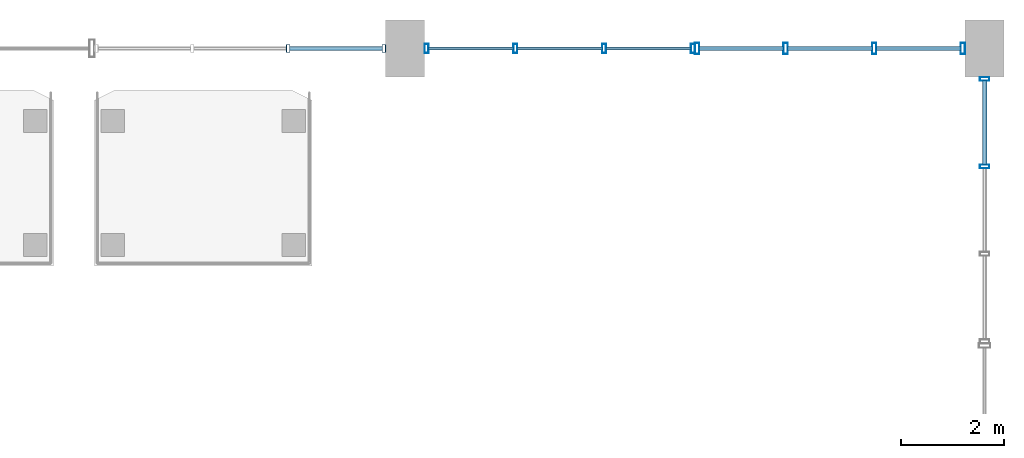
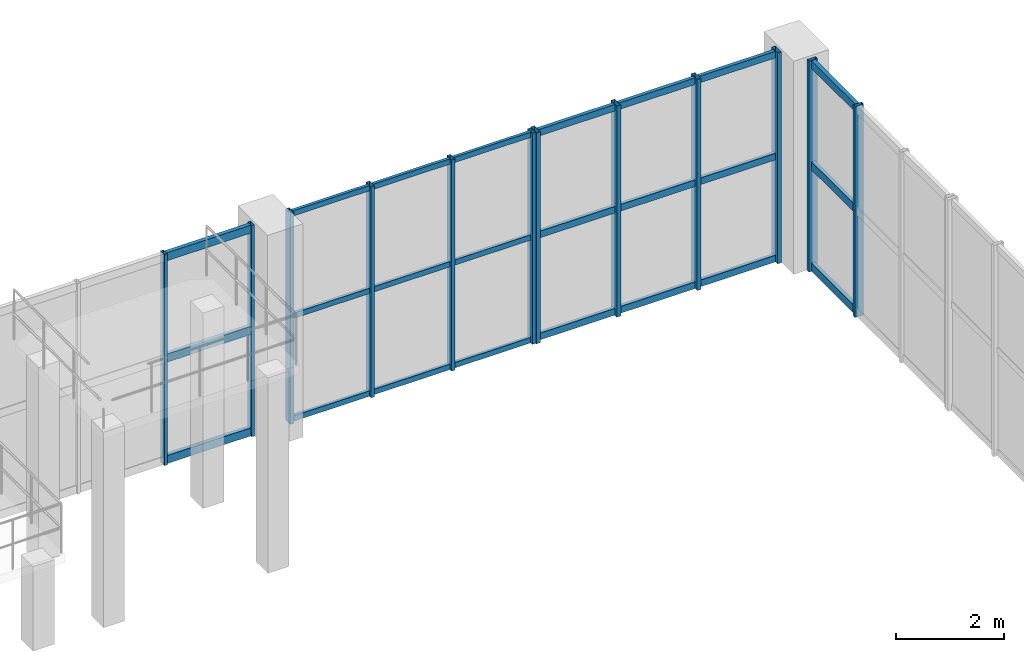
# One storey, part 67 of 106: 36 members, 4 elements without a shape of their own.
"""IFC4 building model written with IfcOpenShell, lengths in metres."""

from ifc_helpers import new_model, si_unit, direction, frame, origin, origin_2d, place, context, subcontext, project, spatial, hollow_rectangle, extrude, material, layer, layer_set, material_profile, profile_set, type_object, element, aggregate, save


model = new_model("IFC4")

# Units and contexts
model_context = context("Model", 3, precision=1e-05, world=origin(), true_north=direction((0.0, 1.0)))
body_context = subcontext(model_context, "Body", "Model", "MODEL_VIEW")
ifc_project = project(units=[si_unit("LENGTHUNIT", "METRE"), si_unit("AREAUNIT", "SQUARE_METRE"), si_unit("VOLUMEUNIT", "CUBIC_METRE"), si_unit("PLANEANGLEUNIT", "RADIAN"), si_unit("MASSUNIT", "GRAM", prefix="KILO"), si_unit("POWERUNIT", "WATT"), si_unit("THERMODYNAMICTEMPERATUREUNIT", "KELVIN")], contexts=[model_context])

# Site, building, storey
site_placement = place(None, origin())
site = spatial("IfcSite", under=ifc_project, at=site_placement, CompositionType="ELEMENT")
building_placement = place(site_placement, origin())
building = spatial("IfcBuilding", under=site, at=building_placement, Name="Kelmbourne Parkland Aquatics Centre", CompositionType="ELEMENT")
storey_placement = place(building_placement, frame((0.0, 0.0, 5.39990234375)))
storey = spatial("IfcBuildingStorey", under=building, at=storey_placement, Name="L01", CompositionType="ELEMENT", Elevation=5.39990234375)

# Curtain wall, members
ifc_material = material(Name="Thermally broken anodised aluminium framing", Category="aluminium")
ifc_layer_1 = layer(ifc_material, 0.179931640625)
ifc_layer_set_1 = layer_set([ifc_layer_1], Name="Thermally broken anodised aluminium framing")
curtain_wall_type_1 = type_object("IfcCurtainWallType", Name="CW-20", PredefinedType="NOTDEFINED", material=ifc_layer_set_1)
curtain_wall_1_placement = place(storey_placement, origin())
curtain_wall_1 = element("IfcCurtainWall", 1, at=curtain_wall_1_placement, inside=storey, type_object=curtain_wall_type_1, Name="Wave-hall clerestory curtain wall CW-L01-140", PredefinedType="NOTDEFINED")
ifc_material_profile_1 = material_profile(ifc_material, hollow_rectangle(XDim=0.06494140625, YDim=0.14990234375, WallThickness=0.00390625, at=origin_2d()), Name="CW-M 65x150")
ifc_profile_set_1 = profile_set([ifc_material_profile_1], Name="Thermally broken anodised aluminium framing")
member_type_1 = type_object("IfcMemberType", Name="MB-MUL-1", PredefinedType="MULLION", material=ifc_profile_set_1)
member_1_placement = place(storey_placement, frame((161.73779296875, 114.800048828125, 0.0), z_axis=(0.0, 0.0, 1.0), x_axis=(1.0, 0.0, 0.0)))
member_1 = element("IfcMember", 2, at=member_1_placement, type_object=member_type_1, Name="CW-L01-140 mullion 2", PredefinedType="MULLION", context=body_context, shape_type="SweptSolid", body=[
    extrude(hollow_rectangle(XDim=0.06494140625, YDim=0.14990234375, WallThickness=0.00390625, at=origin_2d()), origin(), (0.0, 0.0, 1.0), 4.75),
])
member_2_placement = place(storey_placement, frame((163.590576171875, 114.800048828125, 0.0), z_axis=(0.0, 0.0, 1.0), x_axis=(1.0, 0.0, 0.0)))
member_2 = element("IfcMember", 3, at=member_2_placement, type_object=member_type_1, Name="CW-L01-140 mullion 3", PredefinedType="MULLION", context=body_context, shape_type="SweptSolid", body=[
    extrude(hollow_rectangle(XDim=0.06494140625, YDim=0.14990234375, WallThickness=0.00390625, at=origin_2d()), origin(), (0.0, 0.0, 1.0), 4.75),
])

ifc_layer_2 = layer(ifc_material, 0.179931640625)
ifc_layer_set_2 = layer_set([ifc_layer_2], Name="Thermally broken anodised aluminium framing")
curtain_wall_type_2 = type_object("IfcCurtainWallType", Name="CW-05", PredefinedType="NOTDEFINED", material=ifc_layer_set_2)
curtain_wall_2_placement = place(storey_placement, origin())
curtain_wall_2 = element("IfcCurtainWall", 4, at=curtain_wall_2_placement, inside=storey, type_object=curtain_wall_type_2, Name="Wave-hall clerestory curtain wall CW-L01-101", PredefinedType="NOTDEFINED")
ifc_material_profile_2 = material_profile(ifc_material, hollow_rectangle(XDim=0.074951171875, YDim=0.179931640625, WallThickness=0.00439453125, at=origin_2d()), Name="CW-M 75x180")
ifc_profile_set_2 = profile_set([ifc_material_profile_2], Name="Thermally broken anodised aluminium framing")
member_type_2 = type_object("IfcMemberType", Name="MB-MUL-2", PredefinedType="MULLION", material=ifc_profile_set_2)
member_3_placement = place(storey_placement, frame((175.199951171875, 112.51953125, 0.0), z_axis=(0.0, 0.0, 1.0), x_axis=(0.0, 1.0, 0.0)))
member_3 = element("IfcMember", 5, at=member_3_placement, type_object=member_type_2, Name="CW-L01-101 mullion 2", PredefinedType="MULLION", context=body_context, shape_type="SweptSolid", body=[
    extrude(hollow_rectangle(XDim=0.074951171875, YDim=0.179931640625, WallThickness=0.00439453125, at=origin_2d()), origin(), (0.0, 0.0, 1.0), 4.75),
])
member_4_placement = place(storey_placement, frame((175.199951171875, 114.21044921875, 0.0), z_axis=(0.0, 0.0, 1.0), x_axis=(0.0, 1.0, 0.0)))
member_4 = element("IfcMember", 6, at=member_4_placement, type_object=member_type_2, Name="CW-L01-101 mullion 3", PredefinedType="MULLION", context=body_context, shape_type="SweptSolid", body=[
    extrude(hollow_rectangle(XDim=0.074951171875, YDim=0.179931640625, WallThickness=0.00439453125, at=origin_2d()), origin(), (0.0, 0.0, 1.0), 4.75),
])

ifc_layer_3 = layer(ifc_material, 0.179931640625)
ifc_layer_set_3 = layer_set([ifc_layer_3], Name="Thermally broken anodised aluminium framing")
curtain_wall_type_3 = type_object("IfcCurtainWallType", Name="CW-21", PredefinedType="NOTDEFINED", material=ifc_layer_set_3)
curtain_wall_3_placement = place(storey_placement, origin())
curtain_wall_3 = element("IfcCurtainWall", 7, at=curtain_wall_3_placement, inside=storey, type_object=curtain_wall_type_3, Name="Wave-hall clerestory curtain wall CW-L01-141", PredefinedType="NOTDEFINED")
member_5_placement = place(storey_placement, frame((164.41455078125, 114.800048828125, 0.0), z_axis=(0.0, 0.0, 1.0), x_axis=(1.0, 0.0, 0.0)))
member_5 = element("IfcMember", 8, at=member_5_placement, type_object=member_type_2, Name="CW-L01-141 mullion 0", PredefinedType="MULLION", context=body_context, shape_type="SweptSolid", body=[
    extrude(hollow_rectangle(XDim=0.074951171875, YDim=0.179931640625, WallThickness=0.00439453125, at=origin_2d()), origin(), (0.0, 0.0, 1.0), 4.75),
])
member_6_placement = place(storey_placement, frame((166.130615234375, 114.800048828125, 0.0), z_axis=(0.0, 0.0, 1.0), x_axis=(1.0, 0.0, 0.0)))
member_6 = element("IfcMember", 9, at=member_6_placement, type_object=member_type_2, Name="CW-L01-141 mullion 1", PredefinedType="MULLION", context=body_context, shape_type="SweptSolid", body=[
    extrude(hollow_rectangle(XDim=0.074951171875, YDim=0.179931640625, WallThickness=0.00439453125, at=origin_2d()), origin(), (0.0, 0.0, 1.0), 4.75),
])
member_7_placement = place(storey_placement, frame((167.846435546875, 114.800048828125, 0.0), z_axis=(0.0, 0.0, 1.0), x_axis=(1.0, 0.0, 0.0)))
member_7 = element("IfcMember", 10, at=member_7_placement, type_object=member_type_2, Name="CW-L01-141 mullion 2", PredefinedType="MULLION", context=body_context, shape_type="SweptSolid", body=[
    extrude(hollow_rectangle(XDim=0.074951171875, YDim=0.179931640625, WallThickness=0.00439453125, at=origin_2d()), origin(), (0.0, 0.0, 1.0), 4.75),
])
member_8_placement = place(storey_placement, frame((169.5625, 114.800048828125, 0.0), z_axis=(0.0, 0.0, 1.0), x_axis=(1.0, 0.0, 0.0)))
member_8 = element("IfcMember", 11, at=member_8_placement, type_object=member_type_2, Name="CW-L01-141 mullion 3", PredefinedType="MULLION", context=body_context, shape_type="SweptSolid", body=[
    extrude(hollow_rectangle(XDim=0.074951171875, YDim=0.179931640625, WallThickness=0.00439453125, at=origin_2d()), origin(), (0.0, 0.0, 1.0), 4.75),
])

ifc_layer_4 = layer(ifc_material, 0.179931640625)
ifc_layer_set_4 = layer_set([ifc_layer_4], Name="Thermally broken anodised aluminium framing")
curtain_wall_type_4 = type_object("IfcCurtainWallType", Name="CW-22", PredefinedType="NOTDEFINED", material=ifc_layer_set_4)
curtain_wall_4_placement = place(storey_placement, origin())
curtain_wall_4 = element("IfcCurtainWall", 12, at=curtain_wall_4_placement, inside=storey, type_object=curtain_wall_type_4, Name="Wave-hall clerestory curtain wall CW-L01-142", PredefinedType="NOTDEFINED")
ifc_material_profile_3 = material_profile(ifc_material, hollow_rectangle(XDim=0.0849609375, YDim=0.219970703125, WallThickness=0.0048828125, at=origin_2d()), Name="CW-M 85x220")
ifc_profile_set_3 = profile_set([ifc_material_profile_3], Name="Thermally broken anodised aluminium framing")
member_type_3 = type_object("IfcMemberType", Name="MB-MUL-3", PredefinedType="MULLION", material=ifc_profile_set_3)
member_9_placement = place(storey_placement, frame((169.642578125, 114.800048828125, 0.0), z_axis=(0.0, 0.0, 1.0), x_axis=(1.0, 0.0, 0.0)))
member_9 = element("IfcMember", 13, at=member_9_placement, type_object=member_type_3, Name="CW-L01-142 mullion 0", PredefinedType="MULLION", context=body_context, shape_type="SweptSolid", body=[
    extrude(hollow_rectangle(XDim=0.0849609375, YDim=0.219970703125, WallThickness=0.0048828125, at=origin_2d()), origin(), (0.0, 0.0, 1.0), 4.75),
])
member_10_placement = place(storey_placement, frame((171.355224609375, 114.800048828125, 0.0), z_axis=(0.0, 0.0, 1.0), x_axis=(1.0, 0.0, 0.0)))
member_10 = element("IfcMember", 14, at=member_10_placement, type_object=member_type_3, Name="CW-L01-142 mullion 1", PredefinedType="MULLION", context=body_context, shape_type="SweptSolid", body=[
    extrude(hollow_rectangle(XDim=0.0849609375, YDim=0.219970703125, WallThickness=0.0048828125, at=origin_2d()), origin(), (0.0, 0.0, 1.0), 4.75),
])
member_11_placement = place(storey_placement, frame((173.06787109375, 114.800048828125, 0.0), z_axis=(0.0, 0.0, 1.0), x_axis=(1.0, 0.0, 0.0)))
member_11 = element("IfcMember", 15, at=member_11_placement, type_object=member_type_3, Name="CW-L01-142 mullion 2", PredefinedType="MULLION", context=body_context, shape_type="SweptSolid", body=[
    extrude(hollow_rectangle(XDim=0.0849609375, YDim=0.219970703125, WallThickness=0.0048828125, at=origin_2d()), origin(), (0.0, 0.0, 1.0), 4.75),
])
member_12_placement = place(storey_placement, frame((174.780517578125, 114.800048828125, 0.0), z_axis=(0.0, 0.0, 1.0), x_axis=(1.0, 0.0, 0.0)))
member_12 = element("IfcMember", 16, at=member_12_placement, type_object=member_type_3, Name="CW-L01-142 mullion 3", PredefinedType="MULLION", context=body_context, shape_type="SweptSolid", body=[
    extrude(hollow_rectangle(XDim=0.0849609375, YDim=0.219970703125, WallThickness=0.0048828125, at=origin_2d()), origin(), (0.0, 0.0, 1.0), 4.75),
])

# Member
ifc_material_profile_4 = material_profile(ifc_material, hollow_rectangle(XDim=0.06494140625, YDim=0.1201171875, WallThickness=0.00341796875, at=origin_2d()), Name="CW-T 65x120")
ifc_profile_set_4 = profile_set([ifc_material_profile_4], Name="Thermally broken anodised aluminium framing")
member_type_4 = type_object("IfcMemberType", Name="MB-TRN-1", PredefinedType="USERDEFINED", material=ifc_profile_set_4)
member_13_placement = place(storey_placement, frame((164.447998046875, 114.800048828125, 0.06298828125), z_axis=(1.0, 0.0, 0.0), x_axis=(0.0, 1.0, 0.0)))
member_13 = element("IfcMember", 17, at=member_13_placement, type_object=member_type_4, Name="CW-L01-141 transom 0-0", ObjectType="TRANSOM", PredefinedType="USERDEFINED", context=body_context, shape_type="SweptSolid", body=[
    extrude(hollow_rectangle(XDim=0.06494140625, YDim=0.1201171875, WallThickness=0.00341796875, at=origin_2d()), origin(), (0.0, 0.0, 1.0), 1.64892578125),
])

member_14_placement = place(storey_placement, frame((166.1640625, 114.800048828125, 0.06298828125), z_axis=(1.0, 0.0, 0.0), x_axis=(0.0, 1.0, 0.0)))
member_14 = element("IfcMember", 18, at=member_14_placement, type_object=member_type_4, Name="CW-L01-141 transom 0-1", ObjectType="TRANSOM", PredefinedType="USERDEFINED", context=body_context, shape_type="SweptSolid", body=[
    extrude(hollow_rectangle(XDim=0.06494140625, YDim=0.1201171875, WallThickness=0.00341796875, at=origin_2d()), origin(), (0.0, 0.0, 1.0), 1.64892578125),
])

member_15_placement = place(storey_placement, frame((167.8798828125, 114.800048828125, 0.06298828125), z_axis=(1.0, 0.0, 0.0), x_axis=(0.0, 1.0, 0.0)))
member_15 = element("IfcMember", 19, at=member_15_placement, type_object=member_type_4, Name="CW-L01-141 transom 0-2", ObjectType="TRANSOM", PredefinedType="USERDEFINED", context=body_context, shape_type="SweptSolid", body=[
    extrude(hollow_rectangle(XDim=0.06494140625, YDim=0.1201171875, WallThickness=0.00341796875, at=origin_2d()), origin(), (0.0, 0.0, 1.0), 1.649169921875),
])

member_16_placement = place(storey_placement, frame((164.447998046875, 114.800048828125, 2.375), z_axis=(1.0, 0.0, 0.0), x_axis=(0.0, 1.0, 0.0)))
member_16 = element("IfcMember", 20, at=member_16_placement, type_object=member_type_4, Name="CW-L01-141 transom 1-0", ObjectType="TRANSOM", PredefinedType="USERDEFINED", context=body_context, shape_type="SweptSolid", body=[
    extrude(hollow_rectangle(XDim=0.06494140625, YDim=0.1201171875, WallThickness=0.00341796875, at=origin_2d()), origin(), (0.0, 0.0, 1.0), 1.64892578125),
])

member_17_placement = place(storey_placement, frame((166.1640625, 114.800048828125, 2.375), z_axis=(1.0, 0.0, 0.0), x_axis=(0.0, 1.0, 0.0)))
member_17 = element("IfcMember", 21, at=member_17_placement, type_object=member_type_4, Name="CW-L01-141 transom 1-1", ObjectType="TRANSOM", PredefinedType="USERDEFINED", context=body_context, shape_type="SweptSolid", body=[
    extrude(hollow_rectangle(XDim=0.06494140625, YDim=0.1201171875, WallThickness=0.00341796875, at=origin_2d()), origin(), (0.0, 0.0, 1.0), 1.64892578125),
])

member_18_placement = place(storey_placement, frame((167.8798828125, 114.800048828125, 2.375), z_axis=(1.0, 0.0, 0.0), x_axis=(0.0, 1.0, 0.0)))
member_18 = element("IfcMember", 22, at=member_18_placement, type_object=member_type_4, Name="CW-L01-141 transom 1-2", ObjectType="TRANSOM", PredefinedType="USERDEFINED", context=body_context, shape_type="SweptSolid", body=[
    extrude(hollow_rectangle(XDim=0.06494140625, YDim=0.1201171875, WallThickness=0.00341796875, at=origin_2d()), origin(), (0.0, 0.0, 1.0), 1.649169921875),
])

member_19_placement = place(storey_placement, frame((164.447998046875, 114.800048828125, 4.68701171875), z_axis=(1.0, 0.0, 0.0), x_axis=(0.0, 1.0, 0.0)))
member_19 = element("IfcMember", 23, at=member_19_placement, type_object=member_type_4, Name="CW-L01-141 transom 2-0", ObjectType="TRANSOM", PredefinedType="USERDEFINED", context=body_context, shape_type="SweptSolid", body=[
    extrude(hollow_rectangle(XDim=0.06494140625, YDim=0.1201171875, WallThickness=0.00341796875, at=origin_2d()), origin(), (0.0, 0.0, 1.0), 1.64892578125),
])

member_20_placement = place(storey_placement, frame((166.1640625, 114.800048828125, 4.68701171875), z_axis=(1.0, 0.0, 0.0), x_axis=(0.0, 1.0, 0.0)))
member_20 = element("IfcMember", 24, at=member_20_placement, type_object=member_type_4, Name="CW-L01-141 transom 2-1", ObjectType="TRANSOM", PredefinedType="USERDEFINED", context=body_context, shape_type="SweptSolid", body=[
    extrude(hollow_rectangle(XDim=0.06494140625, YDim=0.1201171875, WallThickness=0.00341796875, at=origin_2d()), origin(), (0.0, 0.0, 1.0), 1.64892578125),
])

member_21_placement = place(storey_placement, frame((167.8798828125, 114.800048828125, 4.68701171875), z_axis=(1.0, 0.0, 0.0), x_axis=(0.0, 1.0, 0.0)))
member_21 = element("IfcMember", 25, at=member_21_placement, type_object=member_type_4, Name="CW-L01-141 transom 2-2", ObjectType="TRANSOM", PredefinedType="USERDEFINED", context=body_context, shape_type="SweptSolid", body=[
    extrude(hollow_rectangle(XDim=0.06494140625, YDim=0.1201171875, WallThickness=0.00341796875, at=origin_2d()), origin(), (0.0, 0.0, 1.0), 1.649169921875),
])

aggregate(curtain_wall_3, [member_5, member_6, member_7, member_8, member_13, member_14, member_15, member_16, member_17, member_18, member_19, member_20, member_21])

ifc_material_profile_5 = material_profile(ifc_material, hollow_rectangle(XDim=0.074951171875, YDim=0.14990234375, WallThickness=0.00390625, at=origin_2d()), Name="CW-T 75x150")
ifc_profile_set_5 = profile_set([ifc_material_profile_5], Name="Thermally broken anodised aluminium framing")
member_type_5 = type_object("IfcMemberType", Name="MB-TRN-2", PredefinedType="USERDEFINED", material=ifc_profile_set_5)
member_22_placement = place(storey_placement, frame((169.680908203125, 114.800048828125, 0.078125), z_axis=(1.0, 0.0, 0.0), x_axis=(0.0, 1.0, 0.0)))
member_22 = element("IfcMember", 26, at=member_22_placement, type_object=member_type_5, Name="CW-L01-142 transom 0-0", ObjectType="TRANSOM", PredefinedType="USERDEFINED", context=body_context, shape_type="SweptSolid", body=[
    extrude(hollow_rectangle(XDim=0.074951171875, YDim=0.14990234375, WallThickness=0.00390625, at=origin_2d()), origin(), (0.0, 0.0, 1.0), 1.6357421875),
])

member_23_placement = place(storey_placement, frame((171.393798828125, 114.800048828125, 0.078125), z_axis=(1.0, 0.0, 0.0), x_axis=(0.0, 1.0, 0.0)))
member_23 = element("IfcMember", 27, at=member_23_placement, type_object=member_type_5, Name="CW-L01-142 transom 0-1", ObjectType="TRANSOM", PredefinedType="USERDEFINED", context=body_context, shape_type="SweptSolid", body=[
    extrude(hollow_rectangle(XDim=0.074951171875, YDim=0.14990234375, WallThickness=0.00390625, at=origin_2d()), origin(), (0.0, 0.0, 1.0), 1.635498046875),
])

member_24_placement = place(storey_placement, frame((173.106201171875, 114.800048828125, 0.078125), z_axis=(1.0, 0.0, 0.0), x_axis=(0.0, 1.0, 0.0)))
member_24 = element("IfcMember", 28, at=member_24_placement, type_object=member_type_5, Name="CW-L01-142 transom 0-2", ObjectType="TRANSOM", PredefinedType="USERDEFINED", context=body_context, shape_type="SweptSolid", body=[
    extrude(hollow_rectangle(XDim=0.074951171875, YDim=0.14990234375, WallThickness=0.00390625, at=origin_2d()), origin(), (0.0, 0.0, 1.0), 1.6357421875),
])

member_25_placement = place(storey_placement, frame((169.680908203125, 114.800048828125, 2.375), z_axis=(1.0, 0.0, 0.0), x_axis=(0.0, 1.0, 0.0)))
member_25 = element("IfcMember", 29, at=member_25_placement, type_object=member_type_5, Name="CW-L01-142 transom 1-0", ObjectType="TRANSOM", PredefinedType="USERDEFINED", context=body_context, shape_type="SweptSolid", body=[
    extrude(hollow_rectangle(XDim=0.074951171875, YDim=0.14990234375, WallThickness=0.00390625, at=origin_2d()), origin(), (0.0, 0.0, 1.0), 1.6357421875),
])

member_26_placement = place(storey_placement, frame((171.393798828125, 114.800048828125, 2.375), z_axis=(1.0, 0.0, 0.0), x_axis=(0.0, 1.0, 0.0)))
member_26 = element("IfcMember", 30, at=member_26_placement, type_object=member_type_5, Name="CW-L01-142 transom 1-1", ObjectType="TRANSOM", PredefinedType="USERDEFINED", context=body_context, shape_type="SweptSolid", body=[
    extrude(hollow_rectangle(XDim=0.074951171875, YDim=0.14990234375, WallThickness=0.00390625, at=origin_2d()), origin(), (0.0, 0.0, 1.0), 1.635498046875),
])

member_27_placement = place(storey_placement, frame((173.106201171875, 114.800048828125, 2.375), z_axis=(1.0, 0.0, 0.0), x_axis=(0.0, 1.0, 0.0)))
member_27 = element("IfcMember", 31, at=member_27_placement, type_object=member_type_5, Name="CW-L01-142 transom 1-2", ObjectType="TRANSOM", PredefinedType="USERDEFINED", context=body_context, shape_type="SweptSolid", body=[
    extrude(hollow_rectangle(XDim=0.074951171875, YDim=0.14990234375, WallThickness=0.00390625, at=origin_2d()), origin(), (0.0, 0.0, 1.0), 1.6357421875),
])

member_28_placement = place(storey_placement, frame((169.680908203125, 114.800048828125, 4.672119140625), z_axis=(1.0, 0.0, 0.0), x_axis=(0.0, 1.0, 0.0)))
member_28 = element("IfcMember", 32, at=member_28_placement, type_object=member_type_5, Name="CW-L01-142 transom 2-0", ObjectType="TRANSOM", PredefinedType="USERDEFINED", context=body_context, shape_type="SweptSolid", body=[
    extrude(hollow_rectangle(XDim=0.074951171875, YDim=0.14990234375, WallThickness=0.00390625, at=origin_2d()), origin(), (0.0, 0.0, 1.0), 1.6357421875),
])

member_29_placement = place(storey_placement, frame((171.393798828125, 114.800048828125, 4.672119140625), z_axis=(1.0, 0.0, 0.0), x_axis=(0.0, 1.0, 0.0)))
member_29 = element("IfcMember", 33, at=member_29_placement, type_object=member_type_5, Name="CW-L01-142 transom 2-1", ObjectType="TRANSOM", PredefinedType="USERDEFINED", context=body_context, shape_type="SweptSolid", body=[
    extrude(hollow_rectangle(XDim=0.074951171875, YDim=0.14990234375, WallThickness=0.00390625, at=origin_2d()), origin(), (0.0, 0.0, 1.0), 1.635498046875),
])

member_30_placement = place(storey_placement, frame((173.106201171875, 114.800048828125, 4.672119140625), z_axis=(1.0, 0.0, 0.0), x_axis=(0.0, 1.0, 0.0)))
member_30 = element("IfcMember", 34, at=member_30_placement, type_object=member_type_5, Name="CW-L01-142 transom 2-2", ObjectType="TRANSOM", PredefinedType="USERDEFINED", context=body_context, shape_type="SweptSolid", body=[
    extrude(hollow_rectangle(XDim=0.074951171875, YDim=0.14990234375, WallThickness=0.00390625, at=origin_2d()), origin(), (0.0, 0.0, 1.0), 1.6357421875),
])

aggregate(curtain_wall_4, [member_9, member_10, member_11, member_12, member_22, member_23, member_24, member_25, member_26, member_27, member_28, member_29, member_30])

ifc_material_profile_6 = material_profile(ifc_material, hollow_rectangle(XDim=0.0849609375, YDim=0.179931640625, WallThickness=0.00439453125, at=origin_2d()), Name="CW-T 85x180")
ifc_profile_set_6 = profile_set([ifc_material_profile_6], Name="Thermally broken anodised aluminium framing")
member_type_6 = type_object("IfcMemberType", Name="MB-TRN-3", PredefinedType="USERDEFINED", material=ifc_profile_set_6)
member_31_placement = place(storey_placement, frame((175.199951171875, 112.552978515625, 0.093017578125), z_axis=(0.0, 1.0, 0.0), x_axis=(-1.0, 0.0, 0.0)))
member_31 = element("IfcMember", 35, at=member_31_placement, type_object=member_type_6, Name="CW-L01-101 transom 0-2", ObjectType="TRANSOM", PredefinedType="USERDEFINED", context=body_context, shape_type="SweptSolid", body=[
    extrude(hollow_rectangle(XDim=0.0849609375, YDim=0.179931640625, WallThickness=0.00439453125, at=origin_2d()), origin(), (0.0, 0.0, 1.0), 1.6240234375),
])

member_32_placement = place(storey_placement, frame((175.199951171875, 112.552978515625, 2.375), z_axis=(0.0, 1.0, 0.0), x_axis=(-1.0, 0.0, 0.0)))
member_32 = element("IfcMember", 36, at=member_32_placement, type_object=member_type_6, Name="CW-L01-101 transom 1-2", ObjectType="TRANSOM", PredefinedType="USERDEFINED", context=body_context, shape_type="SweptSolid", body=[
    extrude(hollow_rectangle(XDim=0.0849609375, YDim=0.179931640625, WallThickness=0.00439453125, at=origin_2d()), origin(), (0.0, 0.0, 1.0), 1.6240234375),
])

member_33_placement = place(storey_placement, frame((175.199951171875, 112.552978515625, 4.656982421875), z_axis=(0.0, 1.0, 0.0), x_axis=(-1.0, 0.0, 0.0)))
member_33 = element("IfcMember", 37, at=member_33_placement, type_object=member_type_6, Name="CW-L01-101 transom 2-2", ObjectType="TRANSOM", PredefinedType="USERDEFINED", context=body_context, shape_type="SweptSolid", body=[
    extrude(hollow_rectangle(XDim=0.0849609375, YDim=0.179931640625, WallThickness=0.00439453125, at=origin_2d()), origin(), (0.0, 0.0, 1.0), 1.6240234375),
])

aggregate(curtain_wall_2, [member_3, member_4, member_31, member_32, member_33])

member_34_placement = place(storey_placement, frame((161.766357421875, 114.800048828125, 0.093017578125), z_axis=(1.0, 0.0, 0.0), x_axis=(0.0, 1.0, 0.0)))
member_34 = element("IfcMember", 38, at=member_34_placement, type_object=member_type_6, Name="CW-L01-140 transom 0-2", ObjectType="TRANSOM", PredefinedType="USERDEFINED", context=body_context, shape_type="SweptSolid", body=[
    extrude(hollow_rectangle(XDim=0.0849609375, YDim=0.179931640625, WallThickness=0.00439453125, at=origin_2d()), origin(), (0.0, 0.0, 1.0), 1.795654296875),
])

member_35_placement = place(storey_placement, frame((161.766357421875, 114.800048828125, 2.375), z_axis=(1.0, 0.0, 0.0), x_axis=(0.0, 1.0, 0.0)))
member_35 = element("IfcMember", 39, at=member_35_placement, type_object=member_type_6, Name="CW-L01-140 transom 1-2", ObjectType="TRANSOM", PredefinedType="USERDEFINED", context=body_context, shape_type="SweptSolid", body=[
    extrude(hollow_rectangle(XDim=0.0849609375, YDim=0.179931640625, WallThickness=0.00439453125, at=origin_2d()), origin(), (0.0, 0.0, 1.0), 1.795654296875),
])

member_36_placement = place(storey_placement, frame((161.766357421875, 114.800048828125, 4.656982421875), z_axis=(1.0, 0.0, 0.0), x_axis=(0.0, 1.0, 0.0)))
member_36 = element("IfcMember", 40, at=member_36_placement, type_object=member_type_6, Name="CW-L01-140 transom 2-2", ObjectType="TRANSOM", PredefinedType="USERDEFINED", context=body_context, shape_type="SweptSolid", body=[
    extrude(hollow_rectangle(XDim=0.0849609375, YDim=0.179931640625, WallThickness=0.00439453125, at=origin_2d()), origin(), (0.0, 0.0, 1.0), 1.795654296875),
])

aggregate(curtain_wall_1, [member_1, member_2, member_34, member_35, member_36])

save(model, "model.ifc")
